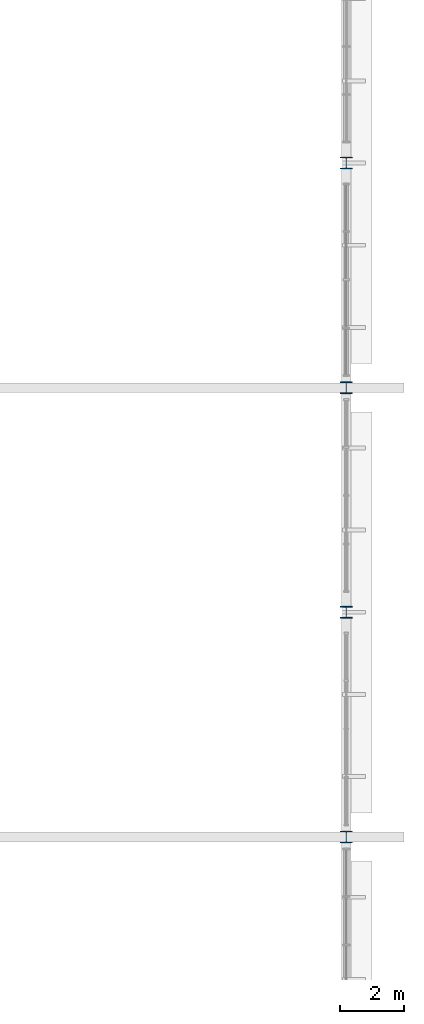
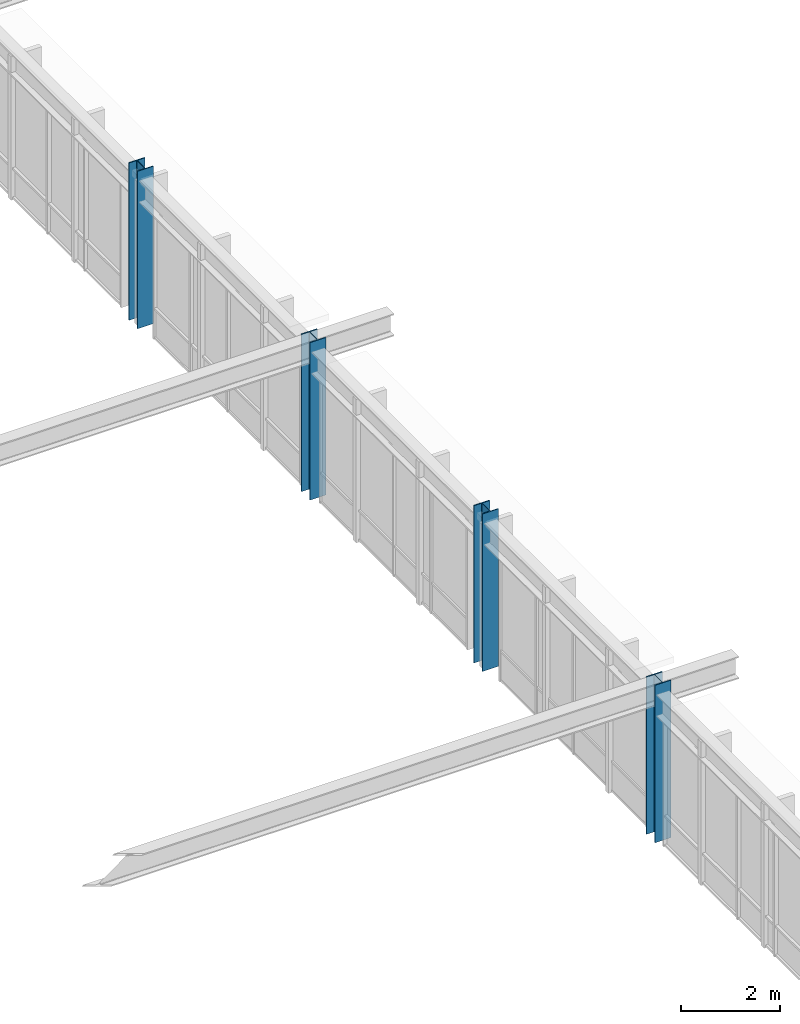
# One storey, part 7 of 98: 4 columns.
"""IFC4 building model written with IfcOpenShell, lengths in metres."""

from ifc_helpers import new_model, si_unit, direction, frame, origin, origin_2d, place, context, subcontext, project, spatial, i_section, extrude, material, material_profile, profile_set, type_object, element, save


model = new_model("IFC4")

# Units and contexts
model_context = context("Model", 3, precision=1e-05, world=origin(), true_north=direction((0.0, 1.0)))
body_context = subcontext(model_context, "Body", "Model", "MODEL_VIEW")
ifc_project = project(units=[si_unit("LENGTHUNIT", "METRE"), si_unit("AREAUNIT", "SQUARE_METRE"), si_unit("VOLUMEUNIT", "CUBIC_METRE"), si_unit("PLANEANGLEUNIT", "RADIAN"), si_unit("MASSUNIT", "GRAM", prefix="KILO")], contexts=[model_context])

# Site, building, storey
site_placement = place(None, origin())
site = spatial("IfcSite", under=ifc_project, at=site_placement, CompositionType="ELEMENT")
building_placement = place(site_placement, origin())
building = spatial("IfcBuilding", under=site, at=building_placement, Name="Larkveld Mobility Hub", CompositionType="ELEMENT")
storey_placement = place(building_placement, frame((0.0, 0.0, 4.5)))
storey = spatial("IfcBuildingStorey", under=building, at=storey_placement, Name="L01", CompositionType="ELEMENT", Elevation=4.5)

# Columns
ifc_material = material(Name="Steel S355JR", Category="steel")
ifc_material_profile = material_profile(ifc_material, i_section(OverallWidth=0.37255859375, OverallDepth=0.3681640625, WebThickness=0.014404296875, FlangeThickness=0.023681640625, FilletRadius=0.01513671875, at=origin_2d()), Name="UC 356x368x177")
ifc_profile_set = profile_set([ifc_material_profile], Name="Steel S355JR")
column_type = type_object("IfcColumnType", Name="CL-STUC356", PredefinedType="COLUMN", material=ifc_profile_set)
for number, where, z_axis, x_axis, name in (
    (1, (184.0, 70.0, 0.0), (0.0, 0.0, 1.0), (1.0, 0.0, 0.0), "Column V1-X184-Y70 (L01)"),
    (2, (184.0, 77.0, 0.0), (0.0, 0.0, 1.0), (1.0, 0.0, 0.0), "Column V1-X184-Y77 (L01)"),
    (3, (184.0, 84.0, 0.0), (0.0, 0.0, 1.0), (1.0, 0.0, 0.0), "Column V1-X184-Y84 (L01)"),
    (4, (184.0, 91.0, 0.0), (0.0, 0.0, 1.0), (1.0, 0.0, 0.0), "Column V1-X184-Y91 (L01)"),
):
    element("IfcColumn", number, at=place(storey_placement, frame(where, z_axis=z_axis, x_axis=x_axis)), inside=storey, type_object=column_type, Name=name, PredefinedType="COLUMN", context=body_context, shape_type="SweptSolid", body=[
        extrude(i_section(OverallWidth=0.37255859375, OverallDepth=0.3681640625, WebThickness=0.014404296875, FlangeThickness=0.023681640625, FilletRadius=0.01513671875, at=origin_2d()), origin(), (0.0, 0.0, 1.0), 3.89990234375),
    ])

save(model, "model.ifc")
